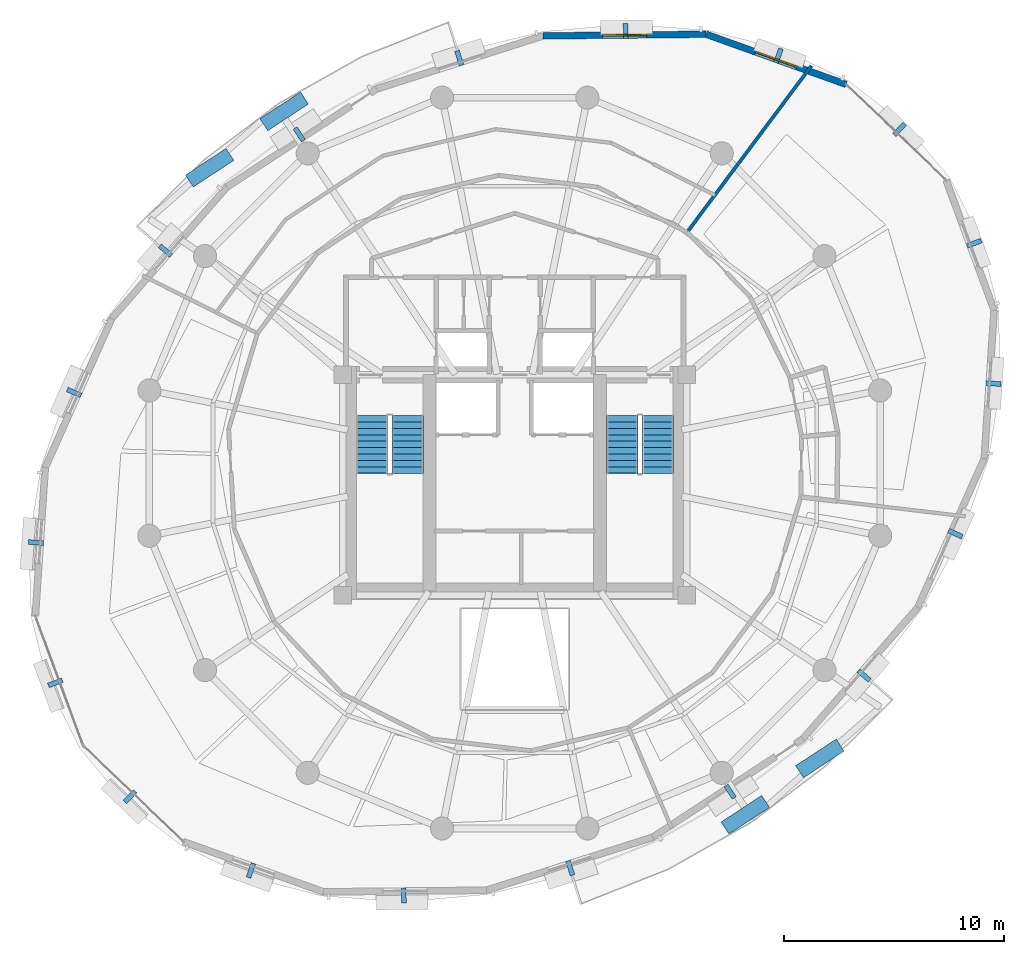
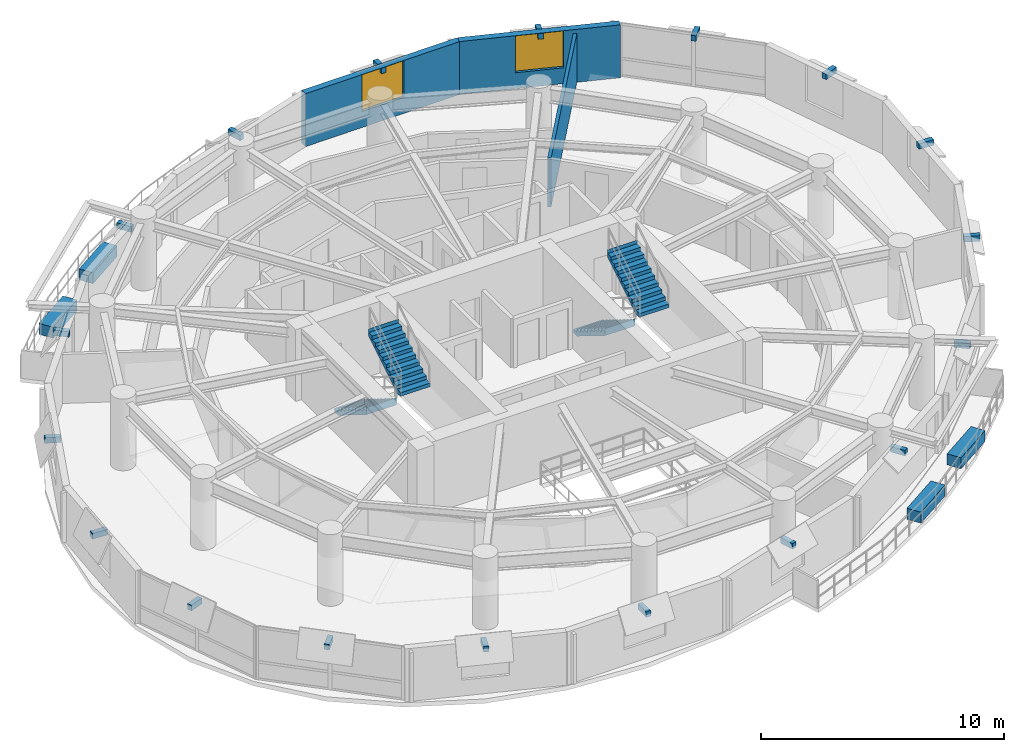
# One storey, part 10 of 12: 22 discrete accessories, 4 stair flights, 3 walls, 2 windows, 2 openings, 2 elements without a shape of their own.
"""IFC4 building model written with IfcOpenShell, lengths in metres."""

from ifc_helpers import new_model, si_unit, direction, frame, frame_2d, origin, origin_2d, place, context, subcontext, project, spatial, polyline, rectangle, outline, extrude, material, layer, layer_set, type_object, element, fill, aggregate, save


model = new_model("IFC4")

# Units and contexts
model_context = context("Model", 3, precision=1e-05, world=origin(), true_north=direction((0.0, 1.0)))
body_context = subcontext(model_context, "Body", "Model", "MODEL_VIEW")
ifc_project = project(units=[si_unit("LENGTHUNIT", "METRE"), si_unit("AREAUNIT", "SQUARE_METRE"), si_unit("VOLUMEUNIT", "CUBIC_METRE"), si_unit("PLANEANGLEUNIT", "RADIAN"), si_unit("MASSUNIT", "GRAM", prefix="KILO"), si_unit("THERMODYNAMICTEMPERATUREUNIT", "KELVIN"), si_unit("POWERUNIT", "WATT")], contexts=[model_context])

# Site, building, storey
site_placement = place(None, origin())
site = spatial("IfcSite", under=ifc_project, at=site_placement, CompositionType="ELEMENT")
building_placement = place(site_placement, origin())
building = spatial("IfcBuilding", under=site, at=building_placement, Name="Ocrelia Relay Tower", CompositionType="ELEMENT")
storey_placement = place(building_placement, frame((0.0, 0.0, 173.60009765625)))
storey = spatial("IfcBuildingStorey", under=building, at=storey_placement, Name="L41", CompositionType="ELEMENT", Elevation=173.60009765625)

# Wall, opening, window
ifc_material_1 = material(Name="Precast concrete C40/50 with oxide terracotta", Category="masonry")
ifc_layer_1 = layer(ifc_material_1, 0.300048828125, Name="Precast concrete C40/50 with oxide terracotta")
ifc_layer_set_1 = layer_set([ifc_layer_1], Name="Precast concrete C40/50 with oxide terracotta")
wall_type_1 = type_object("IfcWallType", Name="W-EXT-TERR-300", PredefinedType="SOLIDWALL", material=ifc_layer_set_1)
wall_1_placement = place(storey_placement, frame((49.0322265625, 43.17626953125, 0.0), z_axis=(0.0, 0.0, 1.0), x_axis=(-0.941435254696, 0.337193803643, 0.0)))
wall_1 = element("IfcWall", 1, at=wall_1_placement, inside=storey, type_object=wall_type_1, Name="L41 Oxide Terracotta Facade Wall 02", PredefinedType="SOLIDWALL", context=body_context, shape_type="SweptSolid", body=[
    extrude(rectangle(XDim=6.7451171875, YDim=0.300048828125, at=frame_2d((3.37255859375, 0.0))), origin(), (0.0, 0.0, 1.0), 2.659912109375),
])
opening_1_placement = place(wall_1_placement, frame((2.373046875, 0.0, 0.800048828125)))
opening_1 = element("IfcOpeningElement", 2, at=opening_1_placement, cuts=wall_1, Name="Opening W-03", PredefinedType="OPENING", context=body_context, shape_type="SweptSolid", body=[
    extrude(rectangle(XDim=2.0, YDim=1.85009765625, at=frame_2d((1.0, 0.925048828125))), frame((0.0, 0.16015625, 0.0), z_axis=(0.0, -1.0, 0.0), x_axis=(1.0, 0.0, 0.0)), (0.0, 0.0, 1.0), 0.320068359375),
])
ifc_material_2 = material(Name="Clear double-glazed low-E glass", Category="glass")
window_type = type_object("IfcWindowType", Name="WIN-Z3-2000x2200", PartitioningType="DOUBLE_PANEL_VERTICAL", PredefinedType="WINDOW", material=ifc_material_2)
window_1_placement = place(opening_1_placement, origin())
window_1 = element("IfcWindow", 3, at=window_1_placement, inside=storey, type_object=window_type, Name="L41 Facade Module Window 02", OverallHeight=1.85009765625, OverallWidth=2.0, PartitioningType="SINGLE_PANEL", PredefinedType="WINDOW", context=body_context, shape_type="SweptSolid", body=[
    extrude(rectangle(XDim=2.0, YDim=1.85009765625, at=frame_2d((1.0, 0.925048828125))), frame((0.0, 0.030029296875, 0.0), z_axis=(0.0, -1.0, 0.0), x_axis=(1.0, 0.0, 0.0)), (0.0, 0.0, 1.0), 0.06005859375),
])
fill(opening_1, window_1)

wall_2_placement = place(storey_placement, frame((42.68212890625, 45.45068359375, 0.0), z_axis=(0.0, 0.0, 1.0), x_axis=(-0.9999529264, -0.009702833769, 0.0)))
wall_2 = element("IfcWall", 4, at=wall_2_placement, inside=storey, type_object=wall_type_1, Name="L41 Oxide Terracotta Facade Wall 03", PredefinedType="SOLIDWALL", context=body_context, shape_type="SweptSolid", body=[
    extrude(rectangle(XDim=7.3974609375, YDim=0.300048828125, at=frame_2d((3.69873046875, 0.0))), origin(), (0.0, 0.0, 1.0), 2.659912109375),
])
opening_2_placement = place(wall_2_placement, frame((2.698974609375, 0.0, 0.800048828125)))
opening_2 = element("IfcOpeningElement", 5, at=opening_2_placement, cuts=wall_2, Name="Opening W-03", PredefinedType="OPENING", context=body_context, shape_type="SweptSolid", body=[
    extrude(rectangle(XDim=2.0, YDim=1.85009765625, at=frame_2d((1.0, 0.925048828125))), frame((0.0, 0.16015625, 0.0), z_axis=(0.0, -1.0, 0.0), x_axis=(1.0, 0.0, 0.0)), (0.0, 0.0, 1.0), 0.320068359375),
])
window_2_placement = place(opening_2_placement, origin())
window_2 = element("IfcWindow", 6, at=window_2_placement, inside=storey, type_object=window_type, Name="L41 Facade Module Window 03", OverallHeight=1.85009765625, OverallWidth=2.0, PartitioningType="SINGLE_PANEL", PredefinedType="WINDOW", context=body_context, shape_type="SweptSolid", body=[
    extrude(rectangle(XDim=2.0, YDim=1.85009765625, at=frame_2d((1.0, 0.925048828125))), frame((0.0, 0.030029296875, 0.0), z_axis=(0.0, -1.0, 0.0), x_axis=(1.0, 0.0, 0.0)), (0.0, 0.0, 1.0), 0.06005859375),
])
fill(opening_2, window_2)

# Wall
ifc_material_3 = material(Name="Acoustic Fireboard Partition EI60", Category="gypsum")
ifc_layer_2 = layer(ifc_material_3, 0.14990234375, Name="Acoustic Fireboard Partition EI60")
ifc_layer_set_2 = layer_set([ifc_layer_2], Name="Acoustic Fireboard Partition EI60")
wall_type_2 = type_object("IfcWallType", Name="W-PART-150", PredefinedType="PARTITIONING", material=ifc_layer_set_2)
wall_3_placement = place(storey_placement, frame((41.820068359375, 36.472412109375, 0.0), z_axis=(0.0, 0.0, 1.0), x_axis=(0.598335177015, 0.801245914777, 0.0)))
element("IfcWall", 7, at=wall_3_placement, inside=storey, type_object=wall_type_2, Name="L41 Project Meeting Room Radial Partition", PredefinedType="PARTITIONING", context=body_context, shape_type="SweptSolid", body=[
    extrude(rectangle(XDim=9.416259765625, YDim=0.14990234375, at=frame_2d((4.7080078125, 0.0))), origin(), (0.0, 0.0, 1.0), 2.4599609375),
])

# Stair, stair flights
ifc_material_4 = material(Name="Concrete C50/60", Category="concrete")
stair_type = type_object("IfcStairType", Name="ST-DL-1420-R180", PredefinedType="HALF_TURN_STAIR", material=ifc_material_4)
stair_1_placement = place(storey_placement, origin())
stair_1 = element("IfcStair", 8, at=stair_1_placement, inside=storey, type_object=stair_type, Name="L41 West Core Exit Stair ST1", PredefinedType="HALF_TURN_STAIR")
stair_flight_type = type_object("IfcStairFlightType", Name="STF-DL-1420-R180", PredefinedType="STRAIGHT", material=ifc_material_4)
stair_flight_1_placement = place(storey_placement, frame((27.52001953125, 28.14990234375, 0.0), z_axis=(0.0, 0.0, 1.0), x_axis=(0.0, -1.0, 0.0)))
stair_flight_1 = element("IfcStairFlight", 9, at=stair_flight_1_placement, type_object=stair_flight_type, Name="ST1 flight 1", NumberOfRisers=10, NumberOfTreads=9, PredefinedType="STRAIGHT", RiserHeight=0.18, TreadLength=0.29, context=body_context, shape_type="SweptSolid", body=[
    extrude(outline(polyline([(-0.008056640625, 0.0), (-0.008056640625, 0.179931640625), (0.0, 0.179931640625), (0.2900390625, 0.179931640625), (0.2900390625, 0.360107421875), (0.580078125, 0.360107421875), (0.580078125, 0.5400390625), (0.8701171875, 0.5400390625), (0.8701171875, 0.719970703125), (1.159912109375, 0.719970703125), (1.159912109375, 0.89990234375), (1.449951171875, 0.89990234375), (1.449951171875, 1.080078125), (1.739990234375, 1.080078125), (1.739990234375, 1.260009765625), (2.030029296875, 1.260009765625), (2.030029296875, 1.43994140625), (2.320068359375, 1.43994140625), (2.320068359375, 1.6201171875), (2.610107421875, 1.6201171875), (2.610107421875, 1.800048828125), (2.617919921875, 1.800048828125), (2.617919921875, 1.443603515625), (0.2841796875, 0.0), (-0.008056640625, 0.0)])), frame((0.0, 0.7099609375, 0.0), z_axis=(0.0, -1.0, 0.0), x_axis=(1.0, 0.0, 0.0)), (0.0, 0.0, 1.0), 1.419921875),
])
stair_flight_2_placement = place(storey_placement, frame((29.139892578125, 25.5400390625, 1.7998046875), z_axis=(0.0, 0.0, 1.0), x_axis=(0.0, 1.0, 0.0)))
stair_flight_2 = element("IfcStairFlight", 10, at=stair_flight_2_placement, type_object=stair_flight_type, Name="ST1 flight 2", NumberOfRisers=10, NumberOfTreads=9, PredefinedType="STRAIGHT", RiserHeight=0.18, TreadLength=0.29, context=body_context, shape_type="SweptSolid", body=[
    extrude(outline(polyline([(-0.008056640625, 0.0), (-0.008056640625, 0.179931640625), (0.0, 0.179931640625), (0.2900390625, 0.179931640625), (0.2900390625, 0.360107421875), (0.580078125, 0.360107421875), (0.580078125, 0.5400390625), (0.8701171875, 0.5400390625), (0.8701171875, 0.719970703125), (1.159912109375, 0.719970703125), (1.159912109375, 0.89990234375), (1.449951171875, 0.89990234375), (1.449951171875, 1.080078125), (1.739990234375, 1.080078125), (1.739990234375, 1.260009765625), (2.030029296875, 1.260009765625), (2.030029296875, 1.43994140625), (2.320068359375, 1.43994140625), (2.320068359375, 1.6201171875), (2.610107421875, 1.6201171875), (2.610107421875, 1.800048828125), (2.617919921875, 1.800048828125), (2.617919921875, 1.443603515625), (0.2841796875, 0.0), (-0.008056640625, 0.0)])), frame((0.0, 0.7099609375, 0.0), z_axis=(0.0, -1.0, 0.0), x_axis=(1.0, 0.0, 0.0)), (0.0, 0.0, 1.0), 1.419921875),
])
aggregate(stair_1, [stair_flight_1, stair_flight_2])

stair_2_placement = place(storey_placement, origin())
stair_2 = element("IfcStair", 11, at=stair_2_placement, inside=storey, type_object=stair_type, Name="L41 East Core Exit Stair ST2", PredefinedType="HALF_TURN_STAIR")
stair_flight_3_placement = place(storey_placement, frame((38.8701171875, 28.14990234375, 0.0), z_axis=(0.0, 0.0, 1.0), x_axis=(0.0, -1.0, 0.0)))
stair_flight_3 = element("IfcStairFlight", 12, at=stair_flight_3_placement, type_object=stair_flight_type, Name="ST2 flight 1", NumberOfRisers=10, NumberOfTreads=9, PredefinedType="STRAIGHT", RiserHeight=0.18, TreadLength=0.29, context=body_context, shape_type="SweptSolid", body=[
    extrude(outline(polyline([(-0.008056640625, 0.0), (-0.008056640625, 0.179931640625), (0.0, 0.179931640625), (0.2900390625, 0.179931640625), (0.2900390625, 0.360107421875), (0.580078125, 0.360107421875), (0.580078125, 0.5400390625), (0.8701171875, 0.5400390625), (0.8701171875, 0.719970703125), (1.159912109375, 0.719970703125), (1.159912109375, 0.89990234375), (1.449951171875, 0.89990234375), (1.449951171875, 1.080078125), (1.739990234375, 1.080078125), (1.739990234375, 1.260009765625), (2.030029296875, 1.260009765625), (2.030029296875, 1.43994140625), (2.320068359375, 1.43994140625), (2.320068359375, 1.6201171875), (2.610107421875, 1.6201171875), (2.610107421875, 1.800048828125), (2.617919921875, 1.800048828125), (2.617919921875, 1.443603515625), (0.2841796875, 0.0), (-0.008056640625, 0.0)])), frame((0.0, 0.7099609375, 0.0), z_axis=(0.0, -1.0, 0.0), x_axis=(1.0, 0.0, 0.0)), (0.0, 0.0, 1.0), 1.419921875),
])
stair_flight_4_placement = place(storey_placement, frame((40.489990234375, 25.5400390625, 1.7998046875), z_axis=(0.0, 0.0, 1.0), x_axis=(0.0, 1.0, 0.0)))
stair_flight_4 = element("IfcStairFlight", 13, at=stair_flight_4_placement, type_object=stair_flight_type, Name="ST2 flight 2", NumberOfRisers=10, NumberOfTreads=9, PredefinedType="STRAIGHT", RiserHeight=0.18, TreadLength=0.29, context=body_context, shape_type="SweptSolid", body=[
    extrude(outline(polyline([(-0.008056640625, 0.0), (-0.008056640625, 0.179931640625), (0.0, 0.179931640625), (0.2900390625, 0.179931640625), (0.2900390625, 0.360107421875), (0.580078125, 0.360107421875), (0.580078125, 0.5400390625), (0.8701171875, 0.5400390625), (0.8701171875, 0.719970703125), (1.159912109375, 0.719970703125), (1.159912109375, 0.89990234375), (1.449951171875, 0.89990234375), (1.449951171875, 1.080078125), (1.739990234375, 1.080078125), (1.739990234375, 1.260009765625), (2.030029296875, 1.260009765625), (2.030029296875, 1.43994140625), (2.320068359375, 1.43994140625), (2.320068359375, 1.6201171875), (2.610107421875, 1.6201171875), (2.610107421875, 1.800048828125), (2.617919921875, 1.800048828125), (2.617919921875, 1.443603515625), (0.2841796875, 0.0), (-0.008056640625, 0.0)])), frame((0.0, 0.7099609375, 0.0), z_axis=(0.0, -1.0, 0.0), x_axis=(1.0, 0.0, 0.0)), (0.0, 0.0, 1.0), 1.419921875),
])
aggregate(stair_2, [stair_flight_3, stair_flight_4])

# Discrete accessories
ifc_material_5 = material(Name="Precast concrete C40/50 planter with highland greenery", Category="concrete")
discrete_accessory_type_1 = type_object("IfcDiscreteAccessoryType", Name="ACC-BALC-PLANTER", PredefinedType="USERDEFINED", material=ifc_material_5)
for number, where, z_axis, x_axis, name in (
    (14, (23.5400390625, 41.9541015625, 0.0), (0.0, 0.0, 1.0), (0.836284936727, 0.548295088984, 0.0), "L41 Balcony Terracotta Planter with Greenery B1"),
    (15, (20.15869140625, 39.39794921875, 0.0), (0.0, 0.0, 1.0), (0.836284936727, 0.548295088984, 0.0), "L41 Balcony Terracotta Planter B1-2"),
    (16, (44.4599609375, 10.0458984375, 0.0), (0.0, 0.0, 1.0), (-0.836284936727, -0.548295088984, 0.0), "L41 Balcony Terracotta Planter with Greenery B2"),
    (17, (47.84130859375, 12.60205078125, 0.0), (0.0, 0.0, 1.0), (-0.836284936727, -0.548295088984, 0.0), "L41 Balcony Terracotta Planter B2-2"),
):
    element("IfcDiscreteAccessory", number, at=place(storey_placement, frame(where, z_axis=z_axis, x_axis=x_axis)), inside=storey, type_object=discrete_accessory_type_1, Name=name, ObjectType="PLANTER", PredefinedType="USERDEFINED", context=body_context, shape_type="SweptSolid", body=[
        extrude(rectangle(XDim=2.199951171875, YDim=0.64990234375, at=origin_2d()), origin(), (0.0, 0.0, 1.0), 0.550048828125),
    ])
ifc_material_6 = material(Name="Steel S355", Category="steel")
discrete_accessory_type_2 = type_object("IfcDiscreteAccessoryType", Name="ACC-VISOR-BRACKET", PredefinedType="BRACKET", material=ifc_material_6)
for number, where, z_axis, x_axis, name in (
    (18, (51.45166015625, 41.13427734375, 2.35986328125), (0.0, 0.0, 1.0), (-0.722128329985, 0.691759116335, 0.0), "L41 Visor Mounting Bracket 01"),
    (19, (45.9658203125, 44.481201171875, 2.35986328125), (0.0, 0.0, 1.0), (-0.941434270354, 0.337196551885, 0.0), "L41 Visor Mounting Bracket 02"),
    (20, (39.033203125, 45.6083984375, 2.35986328125), (0.0, 0.0, 1.0), (-0.999953158498, -0.009678884741, 0.0), "L41 Visor Mounting Bracket 03"),
    (21, (31.481689453125, 44.37255859375, 2.35986328125), (0.0, 0.0, 1.0), (-0.952705845241, -0.303894015149, 0.0), "L41 Visor Mounting Bracket 04"),
    (22, (24.22509765625, 40.909423828125, 2.35986328125), (0.0, 0.0, 1.0), (-0.83628895053, -0.548288966898, 0.0), "L41 Visor Mounting Bracket 05"),
    (23, (18.1552734375, 35.635498046875, 2.35986328125), (0.0, 0.0, 1.0), (-0.658579624883, -0.752511048217, 0.0), "L41 Visor Mounting Bracket 06"),
    (24, (14.0107421875, 29.202880859375, 2.35986328125), (0.0, 0.0, 1.0), (-0.407604143725, -0.913158727724, 0.0), "L41 Visor Mounting Bracket 07"),
    (25, (12.280029296875, 22.39599609375, 2.35986328125), (0.0, 0.0, 1.0), (-0.066167712771, -0.997808515591, 0.0), "L41 Visor Mounting Bracket 08"),
    (26, (13.162109375, 16.030517578125, 2.35986328125), (0.0, 0.0, 1.0), (0.346439160344, -0.938072442928, 0.0), "L41 Visor Mounting Bracket 09"),
    (27, (16.54833984375, 10.86572265625, 2.35986328125), (0.0, 0.0, 1.0), (0.722128329985, -0.691759116335, 0.0), "L41 Visor Mounting Bracket 10"),
    (28, (22.0341796875, 7.518798828125, 2.35986328125), (0.0, 0.0, 1.0), (0.941434270354, -0.337196551885, 0.0), "L41 Visor Mounting Bracket 11"),
    (29, (28.966796875, 6.3916015625, 2.35986328125), (0.0, 0.0, 1.0), (0.999953158498, 0.009678884741, 0.0), "L41 Visor Mounting Bracket 12"),
    (30, (36.518310546875, 7.62744140625, 2.35986328125), (0.0, 0.0, 1.0), (0.952705845241, 0.303894015149, 0.0), "L41 Visor Mounting Bracket 13"),
    (31, (43.77490234375, 11.090576171875, 2.35986328125), (0.0, 0.0, 1.0), (0.83628895053, 0.548288966898, 0.0), "L41 Visor Mounting Bracket 14"),
    (32, (49.8447265625, 16.364501953125, 2.35986328125), (0.0, 0.0, 1.0), (0.658579624883, 0.752511048217, 0.0), "L41 Visor Mounting Bracket 15"),
    (33, (53.9892578125, 22.797119140625, 2.35986328125), (0.0, 0.0, 1.0), (0.407604143725, 0.913158727724, 0.0), "L41 Visor Mounting Bracket 16"),
    (34, (55.719970703125, 29.60400390625, 2.35986328125), (0.0, 0.0, 1.0), (0.066167712771, 0.997808515591, 0.0), "L41 Visor Mounting Bracket 17"),
    (35, (54.837890625, 35.969482421875, 2.35986328125), (0.0, 0.0, 1.0), (-0.346439160344, 0.938072442928, 0.0), "L41 Visor Mounting Bracket 18"),
):
    element("IfcDiscreteAccessory", number, at=place(storey_placement, frame(where, z_axis=z_axis, x_axis=x_axis)), inside=storey, type_object=discrete_accessory_type_2, Name=name, PredefinedType="BRACKET", context=body_context, shape_type="SweptSolid", body=[
        extrude(rectangle(XDim=0.219970703125, YDim=0.679931640625, at=origin_2d()), origin(), (0.0, 0.0, 1.0), 0.280029296875),
    ])

save(model, "model.ifc")
